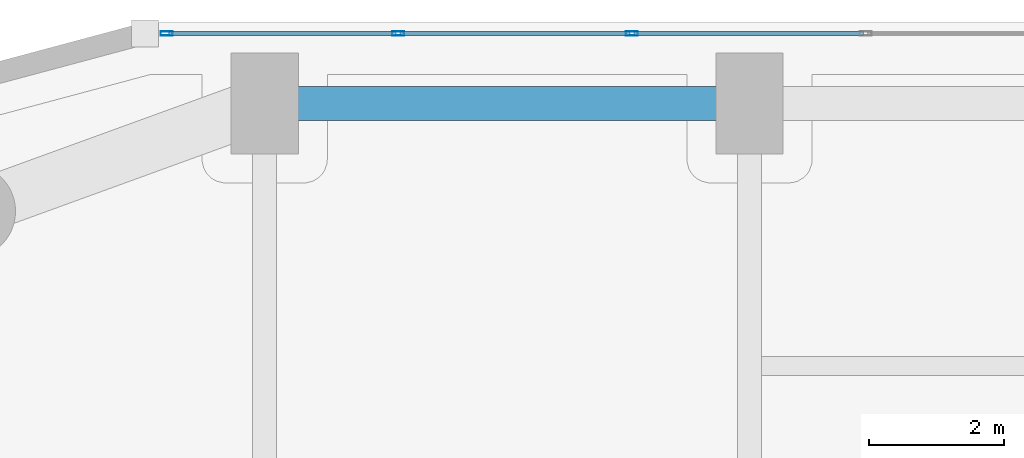
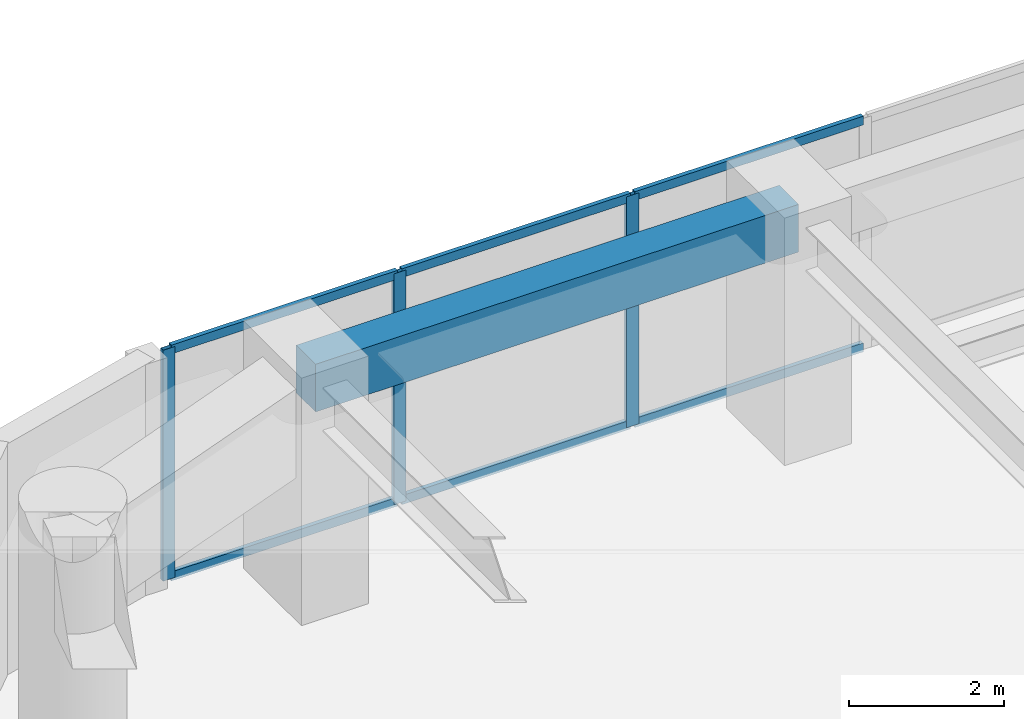
# One storey, part 16 of 28: 9 members, 1 beam, 1 element without a shape of its own.
"""IFC4 building model written with IfcOpenShell, lengths in metres."""

from ifc_helpers import new_model, si_unit, direction, frame, origin, origin_2d, place, context, subcontext, project, spatial, rectangle, hollow_rectangle, extrude, material, layer, layer_set, material_profile, profile_set, type_object, element, aggregate, save


model = new_model("IFC4")

# Units and contexts
model_context = context("Model", 3, precision=1e-05, world=origin(), true_north=direction((0.0, 1.0)))
body_context = subcontext(model_context, "Body", "Model", "MODEL_VIEW")
ifc_project = project(units=[si_unit("LENGTHUNIT", "METRE"), si_unit("AREAUNIT", "SQUARE_METRE"), si_unit("VOLUMEUNIT", "CUBIC_METRE"), si_unit("PLANEANGLEUNIT", "RADIAN"), si_unit("MASSUNIT", "GRAM", prefix="KILO")], contexts=[model_context])

# Site, building, storey
site_placement = place(None, origin())
site = spatial("IfcSite", under=ifc_project, at=site_placement, CompositionType="ELEMENT")
building_placement = place(site_placement, origin())
building = spatial("IfcBuilding", under=site, at=building_placement, Name="Kiyonajd Concourse Tower", CompositionType="ELEMENT")
storey_placement = place(building_placement, frame((0.0, 0.0, 37.199951171875)))
storey = spatial("IfcBuildingStorey", under=building, at=storey_placement, Name="L10", CompositionType="ELEMENT", Elevation=37.199951171875)

# Beam
ifc_material_1 = material(Name="Precast concrete C50/60", Category="concrete")
ifc_material_profile_1 = material_profile(ifc_material_1, rectangle(XDim=0.5, YDim=0.75, at=origin_2d()), Name="RCBM-500x750")
ifc_profile_set_1 = profile_set([ifc_material_profile_1], Name="Precast concrete C50/60")
beam_type = type_object("IfcBeamType", Name="BM-SPAN-RC", PredefinedType="SPANDREL", material=ifc_profile_set_1)
beam_placement = place(storey_placement, frame((32.39990234375, 61.199951171875, 3.26513671875), z_axis=(-1.0, 0.0, 0.0), x_axis=(0.0, -1.0, 0.0)))
element("IfcBeam", 1, at=beam_placement, inside=storey, type_object=beam_type, Name="L10 Perimeter Bundled Tube Spandrel", PredefinedType="SPANDREL", context=body_context, shape_type="SweptSolid", body=[
    extrude(rectangle(XDim=0.5, YDim=0.75, at=origin_2d()), origin(), (0.0, 0.0, 1.0), 7.199951171875),
])

# Curtain wall, members
ifc_material_2 = material(Name="Thermally Broken Anodised Aluminium", Category="aluminium")
ifc_layer = layer(ifc_material_2, 0.179931640625)
ifc_layer_set = layer_set([ifc_layer], Name="Thermally Broken Anodised Aluminium")
curtain_wall_type = type_object("IfcCurtainWallType", Name="CW-SYS-02", PredefinedType="NOTDEFINED", material=ifc_layer_set)
curtain_wall_placement = place(storey_placement, origin())
curtain_wall = element("IfcCurtainWall", 2, at=curtain_wall_placement, inside=storey, type_object=curtain_wall_type, Name="L10 Unitised Curtain Wall CW2", PredefinedType="NOTDEFINED")
ifc_material_profile_2 = material_profile(ifc_material_2, hollow_rectangle(XDim=0.06494140625, YDim=0.179931640625, WallThickness=0.00390625, at=origin_2d()), Name="MULL-65x180")
ifc_profile_set_2 = profile_set([ifc_material_profile_2], Name="Thermally Broken Anodised Aluminium")
member_type_1 = type_object("IfcMemberType", Name="MB-CW-MULL1", PredefinedType="MULLION", material=ifc_profile_set_2)
member_1_placement = place(storey_placement, frame((23.74365234375, 62.239990234375, 0.0), z_axis=(0.0, 0.0, 1.0), x_axis=(0.0, 1.0, 0.0)))
member_1 = element("IfcMember", 3, at=member_1_placement, type_object=member_type_1, Name="CW2 mullion 1", PredefinedType="MULLION", context=body_context, shape_type="SweptSolid", body=[
    extrude(hollow_rectangle(XDim=0.06494140625, YDim=0.179931640625, WallThickness=0.00390625, at=origin_2d()), origin(), (0.0, 0.0, 1.0), 3.64013671875),
])
member_2_placement = place(storey_placement, frame((27.181884765625, 62.239990234375, 0.0), z_axis=(0.0, 0.0, 1.0), x_axis=(0.0, 1.0, 0.0)))
member_2 = element("IfcMember", 4, at=member_2_placement, type_object=member_type_1, Name="CW2 mullion 2", PredefinedType="MULLION", context=body_context, shape_type="SweptSolid", body=[
    extrude(hollow_rectangle(XDim=0.06494140625, YDim=0.179931640625, WallThickness=0.00390625, at=origin_2d()), origin(), (0.0, 0.0, 1.0), 3.64013671875),
])
member_3_placement = place(storey_placement, frame((30.652587890625, 62.239990234375, 0.0), z_axis=(0.0, 0.0, 1.0), x_axis=(0.0, 1.0, 0.0)))
member_3 = element("IfcMember", 5, at=member_3_placement, type_object=member_type_1, Name="CW2 mullion 3", PredefinedType="MULLION", context=body_context, shape_type="SweptSolid", body=[
    extrude(hollow_rectangle(XDim=0.06494140625, YDim=0.179931640625, WallThickness=0.00390625, at=origin_2d()), origin(), (0.0, 0.0, 1.0), 3.64013671875),
])
ifc_material_profile_3 = material_profile(ifc_material_2, hollow_rectangle(XDim=0.06494140625, YDim=0.139892578125, WallThickness=0.00390625, at=origin_2d()), Name="TRAN-65x140")
ifc_profile_set_3 = profile_set([ifc_material_profile_3], Name="Thermally Broken Anodised Aluminium")
member_type_2 = type_object("IfcMemberType", Name="MB-CW-TRAN1", PredefinedType="USERDEFINED", material=ifc_profile_set_3)
member_4_placement = place(storey_placement, frame((23.776123046875, 62.239990234375, 0.032470703125), z_axis=(1.0, 0.0, 0.0), x_axis=(0.0, 1.0, 0.0)))
member_4 = element("IfcMember", 6, at=member_4_placement, type_object=member_type_2, Name="CW2 transom 1.1", ObjectType="TRANSOM", PredefinedType="USERDEFINED", context=body_context, shape_type="SweptSolid", body=[
    extrude(hollow_rectangle(XDim=0.06494140625, YDim=0.139892578125, WallThickness=0.00390625, at=origin_2d()), origin(), (0.0, 0.0, 1.0), 3.373291015625),
])
member_5_placement = place(storey_placement, frame((23.776123046875, 62.239990234375, 3.607666015625), z_axis=(1.0, 0.0, 0.0), x_axis=(0.0, 1.0, 0.0)))
member_5 = element("IfcMember", 7, at=member_5_placement, type_object=member_type_2, Name="CW2 transom 1.2", ObjectType="TRANSOM", PredefinedType="USERDEFINED", context=body_context, shape_type="SweptSolid", body=[
    extrude(hollow_rectangle(XDim=0.06494140625, YDim=0.139892578125, WallThickness=0.00390625, at=origin_2d()), origin(), (0.0, 0.0, 1.0), 3.373291015625),
])
member_6_placement = place(storey_placement, frame((27.21435546875, 62.239990234375, 0.032470703125), z_axis=(1.0, 0.0, 0.0), x_axis=(0.0, 1.0, 0.0)))
member_6 = element("IfcMember", 8, at=member_6_placement, type_object=member_type_2, Name="CW2 transom 2.1", ObjectType="TRANSOM", PredefinedType="USERDEFINED", context=body_context, shape_type="SweptSolid", body=[
    extrude(hollow_rectangle(XDim=0.06494140625, YDim=0.139892578125, WallThickness=0.00390625, at=origin_2d()), origin(), (0.0, 0.0, 1.0), 3.40576171875),
])
member_7_placement = place(storey_placement, frame((27.21435546875, 62.239990234375, 3.607666015625), z_axis=(1.0, 0.0, 0.0), x_axis=(0.0, 1.0, 0.0)))
member_7 = element("IfcMember", 9, at=member_7_placement, type_object=member_type_2, Name="CW2 transom 2.2", ObjectType="TRANSOM", PredefinedType="USERDEFINED", context=body_context, shape_type="SweptSolid", body=[
    extrude(hollow_rectangle(XDim=0.06494140625, YDim=0.139892578125, WallThickness=0.00390625, at=origin_2d()), origin(), (0.0, 0.0, 1.0), 3.40576171875),
])
member_8_placement = place(storey_placement, frame((30.68505859375, 62.239990234375, 0.032470703125), z_axis=(1.0, 0.0, 0.0), x_axis=(0.0, 1.0, 0.0)))
member_8 = element("IfcMember", 10, at=member_8_placement, type_object=member_type_2, Name="CW2 transom 3.1", ObjectType="TRANSOM", PredefinedType="USERDEFINED", context=body_context, shape_type="SweptSolid", body=[
    extrude(hollow_rectangle(XDim=0.06494140625, YDim=0.139892578125, WallThickness=0.00390625, at=origin_2d()), origin(), (0.0, 0.0, 1.0), 3.40576171875),
])
member_9_placement = place(storey_placement, frame((30.68505859375, 62.239990234375, 3.607666015625), z_axis=(1.0, 0.0, 0.0), x_axis=(0.0, 1.0, 0.0)))
member_9 = element("IfcMember", 11, at=member_9_placement, type_object=member_type_2, Name="CW2 transom 3.2", ObjectType="TRANSOM", PredefinedType="USERDEFINED", context=body_context, shape_type="SweptSolid", body=[
    extrude(hollow_rectangle(XDim=0.06494140625, YDim=0.139892578125, WallThickness=0.00390625, at=origin_2d()), origin(), (0.0, 0.0, 1.0), 3.40576171875),
])
aggregate(curtain_wall, [member_1, member_2, member_3, member_4, member_5, member_6, member_7, member_8, member_9])

save(model, "model.ifc")
